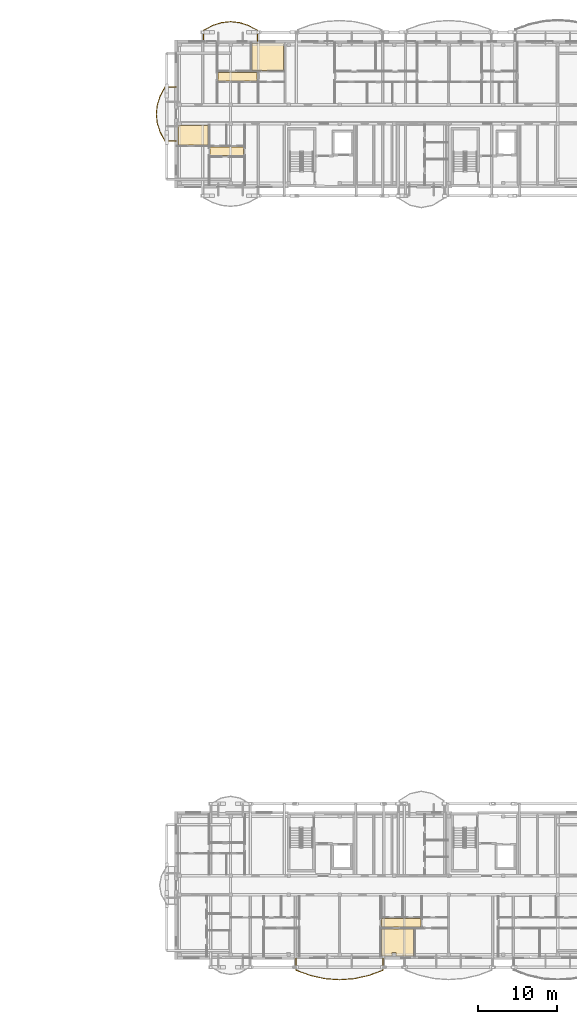
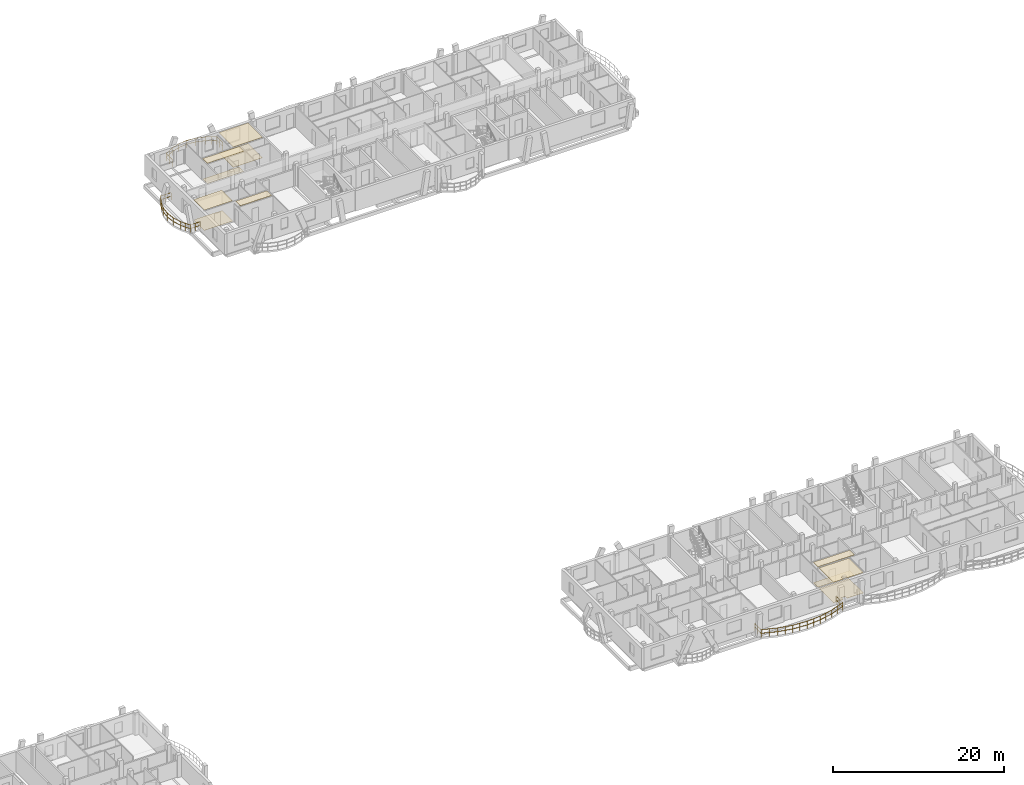
# One storey, part 46 of 52: 11 coverings, 3 railings.
"""IFC4 building model written with IfcOpenShell, lengths in metres."""

from ifc_helpers import new_model, si_unit, direction, frame, origin, origin_2d, place, context, subcontext, project, spatial, polyline, rectangle, outline, extrude, material, layer, layer_set, type_object, element, save


model = new_model("IFC4")

# Units and contexts
model_context = context("Model", 3, precision=1e-05, world=origin(), true_north=direction((0.0, 1.0)))
body_context = subcontext(model_context, "Body", "Model", "MODEL_VIEW")
ifc_project = project(units=[si_unit("LENGTHUNIT", "METRE"), si_unit("AREAUNIT", "SQUARE_METRE"), si_unit("VOLUMEUNIT", "CUBIC_METRE"), si_unit("PLANEANGLEUNIT", "RADIAN"), si_unit("MASSUNIT", "GRAM", prefix="KILO")], contexts=[model_context])

# Site, building, storey
site_placement = place(None, origin())
site = spatial("IfcSite", under=ifc_project, at=site_placement, CompositionType="ELEMENT")
building_placement = place(site_placement, origin())
building = spatial("IfcBuilding", under=site, at=building_placement, Name="Zavelmont Quarter", CompositionType="ELEMENT")
storey_placement = place(building_placement, frame((0.0, 0.0, 14.39990234375)))
storey = spatial("IfcBuildingStorey", under=building, at=storey_placement, Name="L04", CompositionType="ELEMENT", Elevation=14.39990234375)

# Coverings
ifc_material_1 = material(Name="Perforated acoustic gypsum board")
ifc_layer_1 = layer(ifc_material_1, 0.02490234375)
ifc_layer_set_1 = layer_set([ifc_layer_1], Name="Perforated acoustic gypsum board")
covering_type_1 = type_object("IfcCoveringType", Name="CV-CL01", PredefinedType="CEILING", material=ifc_layer_set_1)
covering_1_placement = place(storey_placement, frame((0.0, 0.0, 2.9150390625)))
element("IfcCovering", 1, at=covering_1_placement, inside=storey, type_object=covering_type_1, Name="L04 Double Bedroom acoustic ceiling", PredefinedType="CEILING", context=body_context, shape_type="SweptSolid", body=[
    extrude(outline(polyline([(122.429931640625, 115.719970703125), (126.3701171875, 115.719970703125), (126.3701171875, 112.330078125), (122.429931640625, 112.330078125), (122.429931640625, 115.719970703125)])), origin(), (0.0, 0.0, 1.0), 0.025146484375),
])
covering_2_placement = place(storey_placement, frame((0.0, 0.0, 2.9150390625)))
element("IfcCovering", 2, at=covering_2_placement, inside=storey, type_object=covering_type_1, Name="L04 Master Bedroom acoustic ceiling", PredefinedType="CEILING", context=body_context, shape_type="SweptSolid", body=[
    extrude(outline(polyline([(138.830078125, 3.669921875), (142.8701171875, 3.669921875), (142.8701171875, 0.280029296875), (140.6650390625, 0.280029296875), (140.6650390625, 0.705078125), (140.135009765625, 0.705078125), (140.135009765625, 0.280029296875), (138.830078125, 0.280029296875), (138.830078125, 3.669921875)])), origin(), (0.0, 0.0, 1.0), 0.025146484375),
])
ifc_material_2 = material(Name="Slatted European ash acoustic baffle ceiling")
ifc_layer_2 = layer(ifc_material_2, 0.0400390625)
ifc_layer_set_2 = layer_set([ifc_layer_2], Name="Slatted European ash acoustic baffle ceiling")
covering_type_2 = type_object("IfcCoveringType", Name="CV-CL02", PredefinedType="CEILING", material=ifc_layer_set_2)
covering_3_placement = place(storey_placement, frame((0.0, 0.0, 2.900146484375)))
element("IfcCovering", 3, at=covering_3_placement, inside=storey, type_object=covering_type_2, Name="L04 Apartment Hall acoustic ceiling", PredefinedType="CEILING", context=body_context, shape_type="SweptSolid", body=[
    extrude(outline(polyline([(118.1298828125, 112.070068359375), (123.070068359375, 112.070068359375), (123.070068359375, 110.97998046875), (118.1298828125, 110.97998046875), (118.1298828125, 112.070068359375)])), origin(), (0.0, 0.0, 1.0), 0.0400390625),
])
covering_4_placement = place(storey_placement, frame((0.0, 0.0, 2.900146484375)))
element("IfcCovering", 4, at=covering_4_placement, inside=storey, type_object=covering_type_2, Name="L04 Apartment Hall acoustic ceiling", PredefinedType="CEILING", context=body_context, shape_type="SweptSolid", body=[
    extrude(outline(polyline([(117.1298828125, 102.6201171875), (121.3701171875, 102.6201171875), (121.3701171875, 101.530029296875), (117.1298828125, 101.530029296875), (117.1298828125, 102.6201171875)])), origin(), (0.0, 0.0, 1.0), 0.0400390625),
])
covering_5_placement = place(storey_placement, frame((0.0, 0.0, 2.900146484375)))
element("IfcCovering", 5, at=covering_5_placement, inside=storey, type_object=covering_type_2, Name="L04 Apartment Hall acoustic ceiling", PredefinedType="CEILING", context=body_context, shape_type="SweptSolid", body=[
    extrude(outline(polyline([(138.830078125, 5.02001953125), (143.77001953125, 5.02001953125), (143.77001953125, 3.929931640625), (138.830078125, 3.929931640625), (138.830078125, 5.02001953125)])), origin(), (0.0, 0.0, 1.0), 0.0400390625),
])
ifc_material_3 = material(Name="Moisture-resistant painted gypsum ceiling")
ifc_layer_3 = layer(ifc_material_3, 0.02001953125)
ifc_layer_set_3 = layer_set([ifc_layer_3], Name="Moisture-resistant painted gypsum ceiling")
covering_type_3 = type_object("IfcCoveringType", Name="CV-CL04", PredefinedType="CEILING", material=ifc_layer_set_3)
covering_6_placement = place(storey_placement, frame((0.0, 0.0, 2.920166015625)))
element("IfcCovering", 6, at=covering_6_placement, inside=storey, type_object=covering_type_3, Name="L04 Bathroom acoustic ceiling", PredefinedType="CEILING", context=body_context, shape_type="SweptSolid", body=[
    extrude(outline(polyline([(113.030029296875, 105.3349609375), (113.5048828125, 105.3349609375), (113.5048828125, 105.3701171875), (116.8701171875, 105.3701171875), (116.8701171875, 102.8798828125), (113.030029296875, 102.8798828125), (113.030029296875, 105.3349609375)])), origin(), (0.0, 0.0, 1.0), 0.02001953125),
])
ifc_material_4 = material(Name="Engineered European oak parquet")
ifc_layer_4 = layer(ifc_material_4, 0.02197265625)
ifc_layer_set_4 = layer_set([ifc_layer_4], Name="Engineered European oak parquet")
covering_type_4 = type_object("IfcCoveringType", Name="CV-FL01", PredefinedType="FLOORING", material=ifc_layer_set_4)
covering_7_placement = place(storey_placement, origin())
element("IfcCovering", 7, at=covering_7_placement, inside=storey, type_object=covering_type_4, Name="L04 Double Bedroom floor finish", PredefinedType="FLOORING", context=body_context, shape_type="SweptSolid", body=[
    extrude(outline(polyline([(122.429931640625, 115.719970703125), (126.3701171875, 115.719970703125), (126.3701171875, 112.330078125), (122.429931640625, 112.330078125), (122.429931640625, 115.719970703125)])), origin(), (0.0, 0.0, 1.0), 0.022216796875),
])
covering_8_placement = place(storey_placement, origin())
element("IfcCovering", 8, at=covering_8_placement, inside=storey, type_object=covering_type_4, Name="L04 Master Bedroom floor finish", PredefinedType="FLOORING", context=body_context, shape_type="SweptSolid", body=[
    extrude(outline(polyline([(138.830078125, 3.669921875), (142.8701171875, 3.669921875), (142.8701171875, 0.280029296875), (140.6650390625, 0.280029296875), (140.6650390625, 0.705078125), (140.135009765625, 0.705078125), (140.135009765625, 0.280029296875), (138.830078125, 0.280029296875), (138.830078125, 3.669921875)])), origin(), (0.0, 0.0, 1.0), 0.022216796875),
])
ifc_material_5 = material(Name="Honed Belgian bluestone tile", Category="masonry")
ifc_layer_5 = layer(ifc_material_5, 0.030029296875)
ifc_layer_set_5 = layer_set([ifc_layer_5], Name="Honed Belgian bluestone tile")
covering_type_5 = type_object("IfcCoveringType", Name="CV-FL02", PredefinedType="FLOORING", material=ifc_layer_set_5)
covering_9_placement = place(storey_placement, origin())
element("IfcCovering", 9, at=covering_9_placement, inside=storey, type_object=covering_type_5, Name="L04 Apartment Hall floor finish", PredefinedType="FLOORING", context=body_context, shape_type="SweptSolid", body=[
    extrude(outline(polyline([(118.1298828125, 112.070068359375), (123.070068359375, 112.070068359375), (123.070068359375, 110.97998046875), (118.1298828125, 110.97998046875), (118.1298828125, 112.070068359375)])), origin(), (0.0, 0.0, 1.0), 0.030029296875),
])
covering_10_placement = place(storey_placement, origin())
element("IfcCovering", 10, at=covering_10_placement, inside=storey, type_object=covering_type_5, Name="L04 Apartment Hall floor finish", PredefinedType="FLOORING", context=body_context, shape_type="SweptSolid", body=[
    extrude(outline(polyline([(138.830078125, 5.02001953125), (143.77001953125, 5.02001953125), (143.77001953125, 3.929931640625), (138.830078125, 3.929931640625), (138.830078125, 5.02001953125)])), origin(), (0.0, 0.0, 1.0), 0.030029296875),
])
ifc_material_6 = material(Name="Slip-resistant porcelain tile")
ifc_layer_6 = layer(ifc_material_6, 0.02587890625)
ifc_layer_set_6 = layer_set([ifc_layer_6], Name="Slip-resistant porcelain tile")
covering_type_6 = type_object("IfcCoveringType", Name="CV-FL04", PredefinedType="FLOORING", material=ifc_layer_set_6)
covering_11_placement = place(storey_placement, origin())
element("IfcCovering", 11, at=covering_11_placement, inside=storey, type_object=covering_type_6, Name="L04 Bathroom floor finish", PredefinedType="FLOORING", context=body_context, shape_type="SweptSolid", body=[
    extrude(outline(polyline([(113.030029296875, 105.3349609375), (113.5048828125, 105.3349609375), (113.5048828125, 105.3701171875), (116.8701171875, 105.3701171875), (116.8701171875, 102.8798828125), (113.030029296875, 102.8798828125), (113.030029296875, 105.3349609375)])), origin(), (0.0, 0.0, 1.0), 0.026123046875),
])

# Railings
ifc_material_7 = material(Name="Powder-coated steel and tempered double safety glass", Category="steel")
railing_type = type_object("IfcRailingType", Name="RL-BAL1", PredefinedType="BALUSTRADE", material=ifc_material_7)
railing_1_placement = place(storey_placement, frame((123.12060546875, 116.02001953125, 0.0)))
element("IfcRailing", 12, at=railing_1_placement, inside=storey, type_object=railing_type, Name="L04 Block C curved balcony guard RL-BAL1", PredefinedType="BALUSTRADE", context=body_context, shape_type="SweptSolid", body=[
    extrude(rectangle(XDim=0.048095703125, YDim=0.048095703125, at=origin_2d()), frame((0.0, 0.0, 1.076171875), z_axis=(0.0, 1.0, 0.0), x_axis=(-1.0, 0.0, 0.0)), (0.0, 0.0, 1.0), 1.381103515625),
    extrude(rectangle(XDim=0.048095703125, YDim=0.048095703125, at=origin_2d()), frame((0.0, 0.0, 0.550048828125), z_axis=(0.0, 1.0, 0.0), x_axis=(-1.0, 0.0, 0.0)), (0.0, 0.0, 1.0), 1.381103515625),
    extrude(rectangle(XDim=0.048095703125, YDim=0.048095703125, at=origin_2d()), frame((0.0, 1.381103515625, 1.076171875), z_axis=(-0.881227371765, 0.472692626611, 0.0), x_axis=(-0.472692626611, -0.881227371765, 0.0)), (0.0, 0.0, 1.0), 1.293701171875),
    extrude(rectangle(XDim=0.048095703125, YDim=0.048095703125, at=origin_2d()), frame((0.0, 1.381103515625, 0.550048828125), z_axis=(-0.881227371765, 0.472692626611, 0.0), x_axis=(-0.472692626611, -0.881227371765, 0.0)), (0.0, 0.0, 1.0), 1.293701171875),
    extrude(rectangle(XDim=0.048095703125, YDim=0.048095703125, at=origin_2d()), frame((-1.14013671875, 1.99267578125, 1.076171875), z_axis=(-0.951933095867, 0.306306025067, 0.0), x_axis=(-0.306306025067, -0.951933095867, 0.0)), (0.0, 0.0, 1.0), 1.197998046875),
    extrude(rectangle(XDim=0.048095703125, YDim=0.048095703125, at=origin_2d()), frame((-1.14013671875, 1.99267578125, 0.550048828125), z_axis=(-0.951933095867, 0.306306025067, 0.0), x_axis=(-0.306306025067, -0.951933095867, 0.0)), (0.0, 0.0, 1.0), 1.197998046875),
    extrude(rectangle(XDim=0.048095703125, YDim=0.048095703125, at=origin_2d()), frame((-2.280517578125, 2.359619140625, 1.076171875), z_axis=(-0.994294646355, 0.106668440647, 0.0), x_axis=(-0.106668440647, -0.994294646355, 0.0)), (0.0, 0.0, 1.0), 1.146728515625),
    extrude(rectangle(XDim=0.048095703125, YDim=0.048095703125, at=origin_2d()), frame((-2.280517578125, 2.359619140625, 0.550048828125), z_axis=(-0.994294646355, 0.106668440647, 0.0), x_axis=(-0.106668440647, -0.994294646355, 0.0)), (0.0, 0.0, 1.0), 1.146728515625),
    extrude(rectangle(XDim=0.048095703125, YDim=0.048095703125, at=origin_2d()), frame((-3.420654296875, 2.48193359375, 1.076171875), z_axis=(-0.994294646355, -0.106668440647, 0.0), x_axis=(0.106668440647, -0.994294646355, 0.0)), (0.0, 0.0, 1.0), 1.146728515625),
    extrude(rectangle(XDim=0.048095703125, YDim=0.048095703125, at=origin_2d()), frame((-3.420654296875, 2.48193359375, 0.550048828125), z_axis=(-0.994294646355, -0.106668440647, 0.0), x_axis=(0.106668440647, -0.994294646355, 0.0)), (0.0, 0.0, 1.0), 1.146728515625),
    extrude(rectangle(XDim=0.048095703125, YDim=0.048095703125, at=origin_2d()), frame((-4.560791015625, 2.359619140625, 1.076171875), z_axis=(-0.951913969432, -0.306365459541, 0.0), x_axis=(0.306365459541, -0.951913969432, 0.0)), (0.0, 0.0, 1.0), 1.19775390625),
    extrude(rectangle(XDim=0.048095703125, YDim=0.048095703125, at=origin_2d()), frame((-4.560791015625, 2.359619140625, 0.550048828125), z_axis=(-0.951913969432, -0.306365459541, 0.0), x_axis=(0.306365459541, -0.951913969432, 0.0)), (0.0, 0.0, 1.0), 1.19775390625),
    extrude(rectangle(XDim=0.048095703125, YDim=0.048095703125, at=origin_2d()), frame((-5.700927734375, 1.99267578125, 1.076171875), z_axis=(-0.881269523983, -0.47261403502, 0.0), x_axis=(0.47261403502, -0.881269523983, 0.0)), (0.0, 0.0, 1.0), 1.2939453125),
    extrude(rectangle(XDim=0.048095703125, YDim=0.048095703125, at=origin_2d()), frame((-5.700927734375, 1.99267578125, 0.550048828125), z_axis=(-0.881269523983, -0.47261403502, 0.0), x_axis=(0.47261403502, -0.881269523983, 0.0)), (0.0, 0.0, 1.0), 1.2939453125),
    extrude(rectangle(XDim=0.048095703125, YDim=0.048095703125, at=origin_2d()), frame((-6.84130859375, 1.381103515625, 1.076171875), z_axis=(0.0, -1.0, 0.0), x_axis=(1.0, 0.0, 0.0)), (0.0, 0.0, 1.0), 1.381103515625),
    extrude(rectangle(XDim=0.048095703125, YDim=0.048095703125, at=origin_2d()), frame((-6.84130859375, 1.381103515625, 0.550048828125), z_axis=(0.0, -1.0, 0.0), x_axis=(1.0, 0.0, 0.0)), (0.0, 0.0, 1.0), 1.381103515625),
    extrude(rectangle(XDim=0.0419921875, YDim=0.0419921875, at=origin_2d()), origin(), (0.0, 0.0, 1.0), 1.052001953125),
    extrude(rectangle(XDim=0.0419921875, YDim=0.0419921875, at=origin_2d()), frame((0.0, 0.6904296875, 0.0)), (0.0, 0.0, 1.0), 1.052001953125),
    extrude(rectangle(XDim=0.0419921875, YDim=0.0419921875, at=origin_2d()), frame((0.0, 1.381103515625, 0.0)), (0.0, 0.0, 1.0), 1.052001953125),
    extrude(rectangle(XDim=0.0419921875, YDim=0.0419921875, at=origin_2d()), frame((-0.570068359375, 1.68701171875, 0.0)), (0.0, 0.0, 1.0), 1.052001953125),
    extrude(rectangle(XDim=0.0419921875, YDim=0.0419921875, at=origin_2d()), frame((-1.14013671875, 1.99267578125, 0.0)), (0.0, 0.0, 1.0), 1.052001953125),
    extrude(rectangle(XDim=0.0419921875, YDim=0.0419921875, at=origin_2d()), frame((-2.280517578125, 2.359619140625, 0.0)), (0.0, 0.0, 1.0), 1.052001953125),
    extrude(rectangle(XDim=0.0419921875, YDim=0.0419921875, at=origin_2d()), frame((-3.420654296875, 2.48193359375, 0.0)), (0.0, 0.0, 1.0), 1.052001953125),
    extrude(rectangle(XDim=0.0419921875, YDim=0.0419921875, at=origin_2d()), frame((-4.560791015625, 2.359619140625, 0.0)), (0.0, 0.0, 1.0), 1.052001953125),
    extrude(rectangle(XDim=0.0419921875, YDim=0.0419921875, at=origin_2d()), frame((-5.700927734375, 1.99267578125, 0.0)), (0.0, 0.0, 1.0), 1.052001953125),
    extrude(rectangle(XDim=0.0419921875, YDim=0.0419921875, at=origin_2d()), frame((-6.27099609375, 1.68701171875, 0.0)), (0.0, 0.0, 1.0), 1.052001953125),
    extrude(rectangle(XDim=0.0419921875, YDim=0.0419921875, at=origin_2d()), frame((-6.84130859375, 1.381103515625, 0.0)), (0.0, 0.0, 1.0), 1.052001953125),
    extrude(rectangle(XDim=0.0419921875, YDim=0.0419921875, at=origin_2d()), frame((-6.84130859375, 0.6904296875, 0.0)), (0.0, 0.0, 1.0), 1.052001953125),
    extrude(rectangle(XDim=0.0419921875, YDim=0.0419921875, at=origin_2d()), frame((-6.84130859375, 0.0, 0.0)), (0.0, 0.0, 1.0), 1.052001953125),
])
railing_2_placement = place(storey_placement, frame((112.780029296875, 110.220703125, 0.0)))
element("IfcRailing", 13, at=railing_2_placement, inside=storey, type_object=railing_type, Name="L04 Block C curved balcony guard RL-BAL1", PredefinedType="BALUSTRADE", context=body_context, shape_type="SweptSolid", body=[
    extrude(rectangle(XDim=0.048095703125, YDim=0.048095703125, at=origin_2d()), frame((0.0, 0.0, 1.076171875), z_axis=(-1.0, 0.0, 0.0), x_axis=(0.0, -1.0, 0.0)), (0.0, 0.0, 1.0), 1.381103515625),
    extrude(rectangle(XDim=0.048095703125, YDim=0.048095703125, at=origin_2d()), frame((0.0, 0.0, 0.550048828125), z_axis=(-1.0, 0.0, 0.0), x_axis=(0.0, -1.0, 0.0)), (0.0, 0.0, 1.0), 1.381103515625),
    extrude(rectangle(XDim=0.048095703125, YDim=0.048095703125, at=origin_2d()), frame((-1.381103515625, 0.0, 1.076171875), z_axis=(-0.47261403502, -0.881269523983, 0.0), x_axis=(0.881269523983, -0.47261403502, 0.0)), (0.0, 0.0, 1.0), 1.2939453125),
    extrude(rectangle(XDim=0.048095703125, YDim=0.048095703125, at=origin_2d()), frame((-1.381103515625, 0.0, 0.550048828125), z_axis=(-0.47261403502, -0.881269523983, 0.0), x_axis=(0.881269523983, -0.47261403502, 0.0)), (0.0, 0.0, 1.0), 1.2939453125),
    extrude(rectangle(XDim=0.048095703125, YDim=0.048095703125, at=origin_2d()), frame((-1.99267578125, -1.140380859375, 1.076171875), z_axis=(-0.306365459541, -0.951913969432, 0.0), x_axis=(0.951913969432, -0.306365459541, 0.0)), (0.0, 0.0, 1.0), 1.19775390625),
    extrude(rectangle(XDim=0.048095703125, YDim=0.048095703125, at=origin_2d()), frame((-1.99267578125, -1.140380859375, 0.550048828125), z_axis=(-0.306365459541, -0.951913969432, 0.0), x_axis=(0.951913969432, -0.306365459541, 0.0)), (0.0, 0.0, 1.0), 1.19775390625),
    extrude(rectangle(XDim=0.048095703125, YDim=0.048095703125, at=origin_2d()), frame((-2.359619140625, -2.280517578125, 1.076171875), z_axis=(-0.106668440647, -0.994294646355, 0.0), x_axis=(0.994294646355, -0.106668440647, 0.0)), (0.0, 0.0, 1.0), 1.146728515625),
    extrude(rectangle(XDim=0.048095703125, YDim=0.048095703125, at=origin_2d()), frame((-2.359619140625, -2.280517578125, 0.550048828125), z_axis=(-0.106668440647, -0.994294646355, 0.0), x_axis=(0.994294646355, -0.106668440647, 0.0)), (0.0, 0.0, 1.0), 1.146728515625),
    extrude(rectangle(XDim=0.048095703125, YDim=0.048095703125, at=origin_2d()), frame((-2.48193359375, -3.420654296875, 1.076171875), z_axis=(0.106668440647, -0.994294646355, 0.0), x_axis=(0.994294646355, 0.106668440647, 0.0)), (0.0, 0.0, 1.0), 1.146728515625),
    extrude(rectangle(XDim=0.048095703125, YDim=0.048095703125, at=origin_2d()), frame((-2.48193359375, -3.420654296875, 0.550048828125), z_axis=(0.106668440647, -0.994294646355, 0.0), x_axis=(0.994294646355, 0.106668440647, 0.0)), (0.0, 0.0, 1.0), 1.146728515625),
    extrude(rectangle(XDim=0.048095703125, YDim=0.048095703125, at=origin_2d()), frame((-2.359619140625, -4.560791015625, 1.076171875), z_axis=(0.306306025067, -0.951933095867, 0.0), x_axis=(0.951933095867, 0.306306025067, 0.0)), (0.0, 0.0, 1.0), 1.197998046875),
    extrude(rectangle(XDim=0.048095703125, YDim=0.048095703125, at=origin_2d()), frame((-2.359619140625, -4.560791015625, 0.550048828125), z_axis=(0.306306025067, -0.951933095867, 0.0), x_axis=(0.951933095867, 0.306306025067, 0.0)), (0.0, 0.0, 1.0), 1.197998046875),
    extrude(rectangle(XDim=0.048095703125, YDim=0.048095703125, at=origin_2d()), frame((-1.99267578125, -5.701171875, 1.076171875), z_axis=(0.472692626611, -0.881227371765, 0.0), x_axis=(0.881227371765, 0.472692626611, 0.0)), (0.0, 0.0, 1.0), 1.293701171875),
    extrude(rectangle(XDim=0.048095703125, YDim=0.048095703125, at=origin_2d()), frame((-1.99267578125, -5.701171875, 0.550048828125), z_axis=(0.472692626611, -0.881227371765, 0.0), x_axis=(0.881227371765, 0.472692626611, 0.0)), (0.0, 0.0, 1.0), 1.293701171875),
    extrude(rectangle(XDim=0.048095703125, YDim=0.048095703125, at=origin_2d()), frame((-1.381103515625, -6.84130859375, 1.076171875), z_axis=(1.0, 0.0, 0.0), x_axis=(0.0, 1.0, 0.0)), (0.0, 0.0, 1.0), 1.381103515625),
    extrude(rectangle(XDim=0.048095703125, YDim=0.048095703125, at=origin_2d()), frame((-1.381103515625, -6.84130859375, 0.550048828125), z_axis=(1.0, 0.0, 0.0), x_axis=(0.0, 1.0, 0.0)), (0.0, 0.0, 1.0), 1.381103515625),
    extrude(rectangle(XDim=0.0419921875, YDim=0.0419921875, at=origin_2d()), origin(), (0.0, 0.0, 1.0), 1.052001953125),
    extrude(rectangle(XDim=0.0419921875, YDim=0.0419921875, at=origin_2d()), frame((-0.6904296875, 0.0, 0.0)), (0.0, 0.0, 1.0), 1.052001953125),
    extrude(rectangle(XDim=0.0419921875, YDim=0.0419921875, at=origin_2d()), frame((-1.381103515625, 0.0, 0.0)), (0.0, 0.0, 1.0), 1.052001953125),
    extrude(rectangle(XDim=0.0419921875, YDim=0.0419921875, at=origin_2d()), frame((-1.68701171875, -0.5703125, 0.0)), (0.0, 0.0, 1.0), 1.052001953125),
    extrude(rectangle(XDim=0.0419921875, YDim=0.0419921875, at=origin_2d()), frame((-1.99267578125, -1.140380859375, 0.0)), (0.0, 0.0, 1.0), 1.052001953125),
    extrude(rectangle(XDim=0.0419921875, YDim=0.0419921875, at=origin_2d()), frame((-2.359619140625, -2.280517578125, 0.0)), (0.0, 0.0, 1.0), 1.052001953125),
    extrude(rectangle(XDim=0.0419921875, YDim=0.0419921875, at=origin_2d()), frame((-2.48193359375, -3.420654296875, 0.0)), (0.0, 0.0, 1.0), 1.052001953125),
    extrude(rectangle(XDim=0.0419921875, YDim=0.0419921875, at=origin_2d()), frame((-2.359619140625, -4.560791015625, 0.0)), (0.0, 0.0, 1.0), 1.052001953125),
    extrude(rectangle(XDim=0.0419921875, YDim=0.0419921875, at=origin_2d()), frame((-1.99267578125, -5.701171875, 0.0)), (0.0, 0.0, 1.0), 1.052001953125),
    extrude(rectangle(XDim=0.0419921875, YDim=0.0419921875, at=origin_2d()), frame((-1.68701171875, -6.271240234375, 0.0)), (0.0, 0.0, 1.0), 1.052001953125),
    extrude(rectangle(XDim=0.0419921875, YDim=0.0419921875, at=origin_2d()), frame((-1.381103515625, -6.84130859375, 0.0)), (0.0, 0.0, 1.0), 1.052001953125),
    extrude(rectangle(XDim=0.0419921875, YDim=0.0419921875, at=origin_2d()), frame((-0.6904296875, -6.84130859375, 0.0)), (0.0, 0.0, 1.0), 1.052001953125),
    extrude(rectangle(XDim=0.0419921875, YDim=0.0419921875, at=origin_2d()), frame((0.0, -6.84130859375, 0.0)), (0.0, 0.0, 1.0), 1.052001953125),
])
railing_3_placement = place(storey_placement, frame((127.990966796875, -0.02001953125, 0.0)))
element("IfcRailing", 14, at=railing_3_placement, inside=storey, type_object=railing_type, Name="L04 Block D curved balcony guard RL-BAL1", PredefinedType="BALUSTRADE", context=body_context, shape_type="SweptSolid", body=[
    extrude(rectangle(XDim=0.048095703125, YDim=0.048095703125, at=origin_2d()), frame((0.0, 0.0, 1.076171875), z_axis=(0.0, -1.0, 0.0), x_axis=(1.0, 0.0, 0.0)), (0.0, 0.0, 1.0), 1.51708984375),
    extrude(rectangle(XDim=0.048095703125, YDim=0.048095703125, at=origin_2d()), frame((0.0, 0.0, 0.550048828125), z_axis=(0.0, -1.0, 0.0), x_axis=(1.0, 0.0, 0.0)), (0.0, 0.0, 1.0), 1.51708984375),
    extrude(rectangle(XDim=0.048095703125, YDim=0.048095703125, at=origin_2d()), frame((0.0, -1.51708984375, 1.076171875), z_axis=(0.93924170024, -0.343256505445, 0.0), x_axis=(0.343256505445, 0.93924170024, 0.0)), (0.0, 0.0, 1.0), 1.955322265625),
    extrude(rectangle(XDim=0.048095703125, YDim=0.048095703125, at=origin_2d()), frame((0.0, -1.51708984375, 0.550048828125), z_axis=(0.93924170024, -0.343256505445, 0.0), x_axis=(0.343256505445, 0.93924170024, 0.0)), (0.0, 0.0, 1.0), 1.955322265625),
    extrude(rectangle(XDim=0.048095703125, YDim=0.048095703125, at=origin_2d()), frame((1.83642578125, -2.188232421875, 1.076171875), z_axis=(0.976803339905, -0.214138355159, 0.0), x_axis=(0.214138355159, 0.976803339905, 0.0)), (0.0, 0.0, 1.0), 1.880126953125),
    extrude(rectangle(XDim=0.048095703125, YDim=0.048095703125, at=origin_2d()), frame((1.83642578125, -2.188232421875, 0.550048828125), z_axis=(0.976803339905, -0.214138355159, 0.0), x_axis=(0.214138355159, 0.976803339905, 0.0)), (0.0, 0.0, 1.0), 1.880126953125),
    extrude(rectangle(XDim=0.048095703125, YDim=0.048095703125, at=origin_2d()), frame((3.6728515625, -2.5908203125, 1.076171875), z_axis=(0.997336782875, -0.072933816059, 0.0), x_axis=(0.072933816059, 0.997336782875, 0.0)), (0.0, 0.0, 1.0), 1.841064453125),
    extrude(rectangle(XDim=0.048095703125, YDim=0.048095703125, at=origin_2d()), frame((3.6728515625, -2.5908203125, 0.550048828125), z_axis=(0.997336782875, -0.072933816059, 0.0), x_axis=(0.072933816059, 0.997336782875, 0.0)), (0.0, 0.0, 1.0), 1.841064453125),
    extrude(rectangle(XDim=0.048095703125, YDim=0.048095703125, at=origin_2d()), frame((5.509033203125, -2.72509765625, 1.076171875), z_axis=(0.997336782875, 0.072933816059, 0.0), x_axis=(-0.072933816059, 0.997336782875, 0.0)), (0.0, 0.0, 1.0), 1.841064453125),
    extrude(rectangle(XDim=0.048095703125, YDim=0.048095703125, at=origin_2d()), frame((5.509033203125, -2.72509765625, 0.550048828125), z_axis=(0.997336782875, 0.072933816059, 0.0), x_axis=(-0.072933816059, 0.997336782875, 0.0)), (0.0, 0.0, 1.0), 1.841064453125),
    extrude(rectangle(XDim=0.048095703125, YDim=0.048095703125, at=origin_2d()), frame((7.34521484375, -2.5908203125, 1.076171875), z_axis=(0.976803339905, 0.214138355159, 0.0), x_axis=(-0.214138355159, 0.976803339905, 0.0)), (0.0, 0.0, 1.0), 1.880126953125),
    extrude(rectangle(XDim=0.048095703125, YDim=0.048095703125, at=origin_2d()), frame((7.34521484375, -2.5908203125, 0.550048828125), z_axis=(0.976803339905, 0.214138355159, 0.0), x_axis=(-0.214138355159, 0.976803339905, 0.0)), (0.0, 0.0, 1.0), 1.880126953125),
    extrude(rectangle(XDim=0.048095703125, YDim=0.048095703125, at=origin_2d()), frame((9.181640625, -2.188232421875, 1.076171875), z_axis=(0.93924170024, 0.343256505445, 0.0), x_axis=(-0.343256505445, 0.93924170024, 0.0)), (0.0, 0.0, 1.0), 1.955322265625),
    extrude(rectangle(XDim=0.048095703125, YDim=0.048095703125, at=origin_2d()), frame((9.181640625, -2.188232421875, 0.550048828125), z_axis=(0.93924170024, 0.343256505445, 0.0), x_axis=(-0.343256505445, 0.93924170024, 0.0)), (0.0, 0.0, 1.0), 1.955322265625),
    extrude(rectangle(XDim=0.048095703125, YDim=0.048095703125, at=origin_2d()), frame((11.01806640625, -1.51708984375, 1.076171875), z_axis=(0.0, 1.0, 0.0), x_axis=(-1.0, 0.0, 0.0)), (0.0, 0.0, 1.0), 1.51708984375),
    extrude(rectangle(XDim=0.048095703125, YDim=0.048095703125, at=origin_2d()), frame((11.01806640625, -1.51708984375, 0.550048828125), z_axis=(0.0, 1.0, 0.0), x_axis=(-1.0, 0.0, 0.0)), (0.0, 0.0, 1.0), 1.51708984375),
    extrude(rectangle(XDim=0.0419921875, YDim=0.0419921875, at=origin_2d()), origin(), (0.0, 0.0, 1.0), 1.052001953125),
    extrude(rectangle(XDim=0.0419921875, YDim=0.0419921875, at=origin_2d()), frame((0.0, -0.758544921875, 0.0)), (0.0, 0.0, 1.0), 1.052001953125),
    extrude(rectangle(XDim=0.0419921875, YDim=0.0419921875, at=origin_2d()), frame((0.0, -1.51708984375, 0.0)), (0.0, 0.0, 1.0), 1.052001953125),
    extrude(rectangle(XDim=0.0419921875, YDim=0.0419921875, at=origin_2d()), frame((0.918212890625, -1.8525390625, 0.0)), (0.0, 0.0, 1.0), 1.052001953125),
    extrude(rectangle(XDim=0.0419921875, YDim=0.0419921875, at=origin_2d()), frame((1.83642578125, -2.188232421875, 0.0)), (0.0, 0.0, 1.0), 1.052001953125),
    extrude(rectangle(XDim=0.0419921875, YDim=0.0419921875, at=origin_2d()), frame((2.754638671875, -2.3896484375, 0.0)), (0.0, 0.0, 1.0), 1.052001953125),
    extrude(rectangle(XDim=0.0419921875, YDim=0.0419921875, at=origin_2d()), frame((3.6728515625, -2.5908203125, 0.0)), (0.0, 0.0, 1.0), 1.052001953125),
    extrude(rectangle(XDim=0.0419921875, YDim=0.0419921875, at=origin_2d()), frame((4.5908203125, -2.657958984375, 0.0)), (0.0, 0.0, 1.0), 1.052001953125),
    extrude(rectangle(XDim=0.0419921875, YDim=0.0419921875, at=origin_2d()), frame((5.509033203125, -2.72509765625, 0.0)), (0.0, 0.0, 1.0), 1.052001953125),
    extrude(rectangle(XDim=0.0419921875, YDim=0.0419921875, at=origin_2d()), frame((6.42724609375, -2.657958984375, 0.0)), (0.0, 0.0, 1.0), 1.052001953125),
    extrude(rectangle(XDim=0.0419921875, YDim=0.0419921875, at=origin_2d()), frame((7.34521484375, -2.5908203125, 0.0)), (0.0, 0.0, 1.0), 1.052001953125),
    extrude(rectangle(XDim=0.0419921875, YDim=0.0419921875, at=origin_2d()), frame((8.263427734375, -2.3896484375, 0.0)), (0.0, 0.0, 1.0), 1.052001953125),
    extrude(rectangle(XDim=0.0419921875, YDim=0.0419921875, at=origin_2d()), frame((9.181640625, -2.188232421875, 0.0)), (0.0, 0.0, 1.0), 1.052001953125),
    extrude(rectangle(XDim=0.0419921875, YDim=0.0419921875, at=origin_2d()), frame((10.099853515625, -1.8525390625, 0.0)), (0.0, 0.0, 1.0), 1.052001953125),
    extrude(rectangle(XDim=0.0419921875, YDim=0.0419921875, at=origin_2d()), frame((11.01806640625, -1.51708984375, 0.0)), (0.0, 0.0, 1.0), 1.052001953125),
    extrude(rectangle(XDim=0.0419921875, YDim=0.0419921875, at=origin_2d()), frame((11.01806640625, -0.758544921875, 0.0)), (0.0, 0.0, 1.0), 1.052001953125),
    extrude(rectangle(XDim=0.0419921875, YDim=0.0419921875, at=origin_2d()), frame((11.01806640625, 0.0, 0.0)), (0.0, 0.0, 1.0), 1.052001953125),
])

save(model, "model.ifc")
